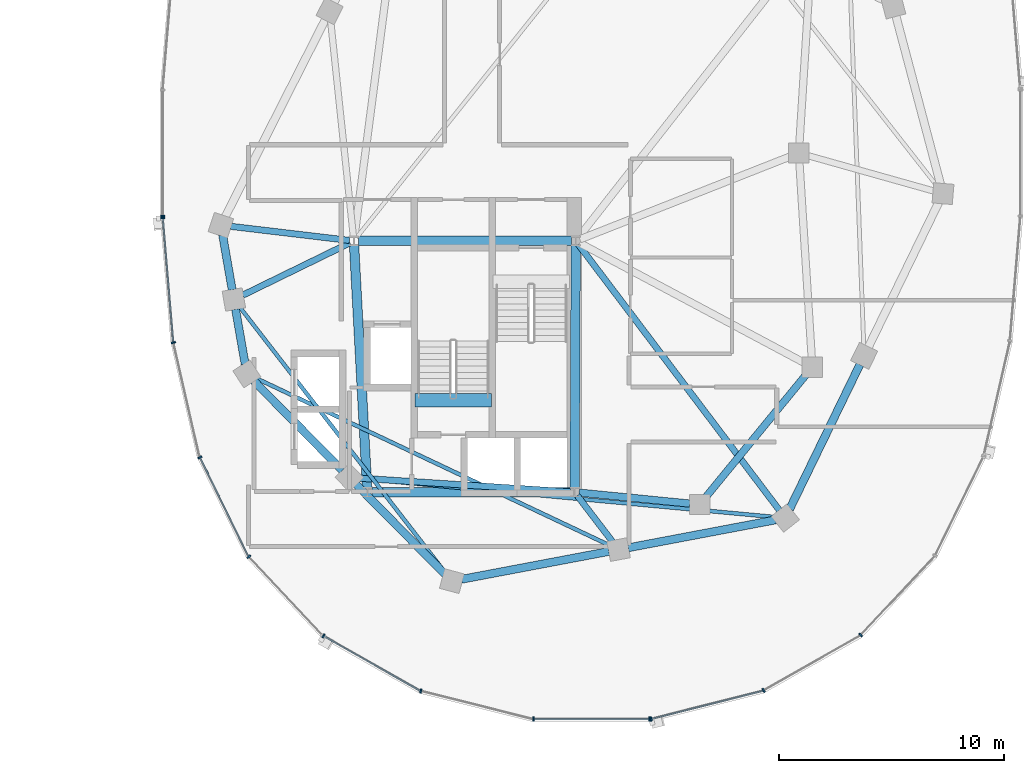
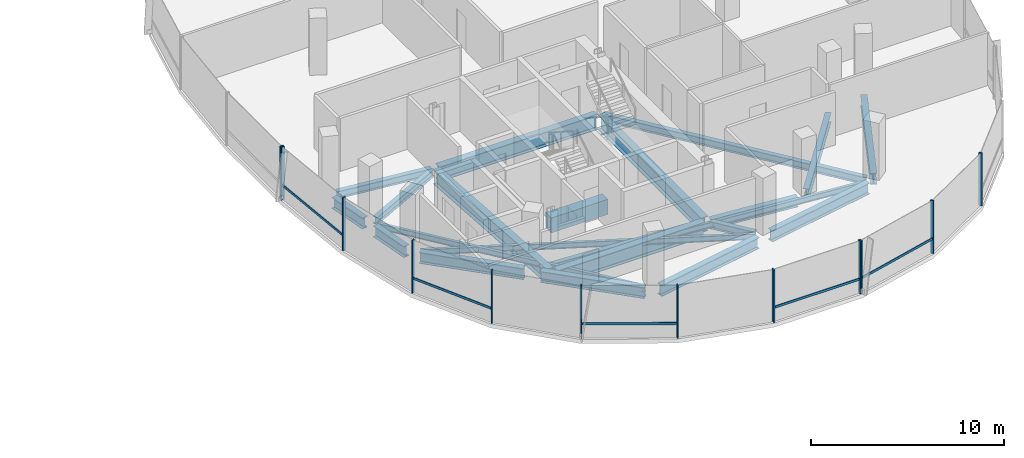
# One storey, part 8 of 25: 22 beams, 17 members, 3 elements without a shape of their own.
"""IFC4 building model written with IfcOpenShell, lengths in metres."""

from ifc_helpers import new_model, si_unit, direction, frame, origin, origin_2d, place, context, subcontext, project, spatial, rectangle, i_section, extrude, material, material_profile, profile_set, type_object, element, aggregate, save


model = new_model("IFC4")

# Units and contexts
model_context = context("Model", 3, precision=1e-05, world=origin(), true_north=direction((0.0, 1.0)))
body_context = subcontext(model_context, "Body", "Model", "MODEL_VIEW")
ifc_project = project(units=[si_unit("LENGTHUNIT", "METRE"), si_unit("AREAUNIT", "SQUARE_METRE"), si_unit("VOLUMEUNIT", "CUBIC_METRE"), si_unit("PLANEANGLEUNIT", "RADIAN"), si_unit("MASSUNIT", "GRAM", prefix="KILO"), si_unit("THERMODYNAMICTEMPERATUREUNIT", "KELVIN"), si_unit("POWERUNIT", "WATT")], contexts=[model_context])

# Site, building, storey
site_placement = place(None, origin())
site = spatial("IfcSite", under=ifc_project, at=site_placement, CompositionType="ELEMENT")
building_placement = place(site_placement, origin())
building = spatial("IfcBuilding", under=site, at=building_placement, Name="Cundina Bronze Exchange", CompositionType="ELEMENT")
storey_placement = place(building_placement, frame((0.0, 0.0, 202.60009765625)))
storey = spatial("IfcBuildingStorey", under=building, at=storey_placement, Name="L53", CompositionType="ELEMENT", Elevation=202.60009765625)

# Beams
ifc_material_1 = material(Name="Concrete C60/75", Category="concrete")
ifc_material_profile_1 = material_profile(ifc_material_1, rectangle(XDim=0.60009765625, YDim=0.949951171875, at=origin_2d()), Name="RC600X950", Category="concrete")
ifc_profile_set_1 = profile_set([ifc_material_profile_1], Name="Concrete C60/75")
beam_type_1 = type_object("IfcBeamType", Name="BM-COUP-RC950", PredefinedType="LINTEL", material=ifc_profile_set_1)
beam_1_placement = place(storey_placement, frame((24.159912109375, -10.97998046875, -0.47509765625), z_axis=(1.0, 0.0, 0.0), x_axis=(0.0, 1.0, 0.0)))
element("IfcBeam", 1, at=beam_1_placement, inside=storey, type_object=beam_type_1, Name="L53 Stair E2 Landing Header Beam", PredefinedType="LINTEL", context=body_context, shape_type="SweptSolid", body=[
    extrude(rectangle(XDim=0.60009765625, YDim=0.949951171875, at=origin_2d()), origin(), (0.0, 0.0, 1.0), 3.400146484375),
])
ifc_material_2 = material(Name="Steel ASTM A992 Grade 50", Category="steel")
ifc_material_profile_2 = material_profile(ifc_material_2, i_section(OverallWidth=0.280029296875, OverallDepth=0.462890625, WebThickness=0.0107421875, FlangeThickness=0.017333984375, FilletRadius=0.011962890625, at=origin_2d()), Name="W18X76", Category="steel")
ifc_profile_set_2 = profile_set([ifc_material_profile_2], Name="Steel ASTM A992 Grade 50")
beam_type_2 = type_object("IfcBeamType", Name="BM-FLR-W18A", PredefinedType="BEAM", material=ifc_profile_set_2)
beam_2_placement = place(storey_placement, frame((21.25537109375, -3.876953125, -0.49169921875), z_axis=(-0.993036786722, 0.117804669761, 0.0), x_axis=(-0.117804669761, -0.993036786722, 0.0)))
element("IfcBeam", 2, at=beam_2_placement, inside=storey, type_object=beam_type_2, Name="L53 Leg E Chordal Floor Beam 00", PredefinedType="BEAM", context=body_context, shape_type="SweptSolid", body=[
    extrude(i_section(OverallWidth=0.280029296875, OverallDepth=0.462890625, WebThickness=0.0107421875, FlangeThickness=0.017333984375, FilletRadius=0.011962890625, at=origin_2d()), origin(), (0.0, 0.0, 1.0), 5.307373046875),
])
beam_3_placement = place(storey_placement, frame((21.27392578125, -3.986083984375, -0.49169921875), z_axis=(-0.898613202677, -0.438741737214, 0.0), x_axis=(0.438741737214, -0.898613202677, 0.0)))
element("IfcBeam", 3, at=beam_3_placement, inside=storey, type_object=beam_type_2, Name="L53 Leg E Chordal Floor Beam 01", PredefinedType="BEAM", context=body_context, shape_type="SweptSolid", body=[
    extrude(i_section(OverallWidth=0.280029296875, OverallDepth=0.462890625, WebThickness=0.0107421875, FlangeThickness=0.017333984375, FilletRadius=0.011962890625, at=origin_2d()), origin(), (0.0, 0.0, 1.0), 5.2919921875),
])
beam_4_placement = place(storey_placement, frame((31.054443359375, -15.037353515625, -0.49169921875), z_axis=(-0.997894145252, 0.064863509559, 0.0), x_axis=(-0.064863509559, -0.997894145252, 0.0)))
element("IfcBeam", 4, at=beam_4_placement, inside=storey, type_object=beam_type_2, Name="L53 Leg E Chordal Floor Beam 03", PredefinedType="BEAM", context=body_context, shape_type="SweptSolid", body=[
    extrude(i_section(OverallWidth=0.280029296875, OverallDepth=0.462890625, WebThickness=0.0107421875, FlangeThickness=0.017333984375, FilletRadius=0.011962890625, at=origin_2d()), origin(), (0.0, 0.0, 1.0), 9.38720703125),
])
beam_5_placement = place(storey_placement, frame((31.369140625, -15.205810546875, -0.49169921875), z_axis=(0.60740437517, -0.794392802727, 0.0), x_axis=(0.794392802727, 0.60740437517, 0.0)))
element("IfcBeam", 5, at=beam_5_placement, inside=storey, type_object=beam_type_2, Name="L53 Leg E Chordal Floor Beam 05", PredefinedType="BEAM", context=body_context, shape_type="SweptSolid", body=[
    extrude(i_section(OverallWidth=0.280029296875, OverallDepth=0.462890625, WebThickness=0.0107421875, FlangeThickness=0.017333984375, FilletRadius=0.011962890625, at=origin_2d()), origin(), (0.0, 0.0, 1.0), 2.575927734375),
])
beam_6_placement = place(storey_placement, frame((31.418212890625, -4.056396484375, -0.49169921875), z_axis=(0.603104943786, -0.797661849897, 0.0), x_axis=(0.797661849897, 0.603104943786, 0.0)))
element("IfcBeam", 6, at=beam_6_placement, inside=storey, type_object=beam_type_2, Name="L53 Leg E Chordal Floor Beam 06", PredefinedType="BEAM", context=body_context, shape_type="SweptSolid", body=[
    extrude(i_section(OverallWidth=0.280029296875, OverallDepth=0.462890625, WebThickness=0.0107421875, FlangeThickness=0.017333984375, FilletRadius=0.011962890625, at=origin_2d()), origin(), (0.0, 0.0, 1.0), 14.785888671875),
])
ifc_material_profile_3 = material_profile(ifc_material_2, i_section(OverallWidth=0.172119140625, OverallDepth=0.35791015625, WebThickness=0.0078125, FlangeThickness=0.01318359375, FilletRadius=0.010009765625, at=origin_2d()), Name="W14X38", Category="steel")
ifc_profile_set_3 = profile_set([ifc_material_profile_3], Name="Steel ASTM A992 Grade 50")
beam_type_3 = type_object("IfcBeamType", Name="BM-JST-W14", PredefinedType="JOIST", material=ifc_profile_set_3)
beam_7_placement = place(storey_placement, frame((16.39306640625, -6.846435546875, -0.439208984375), z_axis=(0.612085793291, -0.790791364174, 0.0), x_axis=(0.790791364174, 0.612085793291, 0.0)))
element("IfcBeam", 7, at=beam_7_placement, inside=storey, type_object=beam_type_3, Name="L53 Leg E Lobe Floor Joist 01-04", PredefinedType="JOIST", context=body_context, shape_type="SweptSolid", body=[
    extrude(i_section(OverallWidth=0.172119140625, OverallDepth=0.35791015625, WebThickness=0.0078125, FlangeThickness=0.01318359375, FilletRadius=0.010009765625, at=origin_2d()), origin(), (0.0, 0.0, 1.0), 14.9306640625),
])
beam_8_placement = place(storey_placement, frame((17.095947265625, -9.9873046875, -0.439208984375), z_axis=(0.904073747204, -0.427376484632, 0.0), x_axis=(0.427376484632, 0.904073747204, 0.0)))
element("IfcBeam", 8, at=beam_8_placement, inside=storey, type_object=beam_type_3, Name="L53 Leg E Lobe Floor Joist 02-05", PredefinedType="JOIST", context=body_context, shape_type="SweptSolid", body=[
    extrude(i_section(OverallWidth=0.172119140625, OverallDepth=0.35791015625, WebThickness=0.0078125, FlangeThickness=0.01318359375, FilletRadius=0.010009765625, at=origin_2d()), origin(), (0.0, 0.0, 1.0), 17.374755859375),
])
beam_9_placement = place(storey_placement, frame((21.68603515625, -14.440673828125, -0.439208984375), z_axis=(0.9957017803, -0.092617302415, 0.0), x_axis=(0.092617302415, 0.9957017803, 0.0)))
element("IfcBeam", 9, at=beam_9_placement, inside=storey, type_object=beam_type_3, Name="L53 Leg E Lobe Floor Joist 03-06", PredefinedType="JOIST", context=body_context, shape_type="SweptSolid", body=[
    extrude(i_section(OverallWidth=0.172119140625, OverallDepth=0.35791015625, WebThickness=0.0078125, FlangeThickness=0.01318359375, FilletRadius=0.010009765625, at=origin_2d()), origin(), (0.0, 0.0, 1.0), 18.5576171875),
])
ifc_material_profile_4 = material_profile(ifc_material_2, i_section(OverallWidth=0.324951171875, OverallDepth=0.615966796875, WebThickness=0.013916015625, FlangeThickness=0.021484375, FilletRadius=0.01611328125, at=origin_2d()), Name="W24X117", Category="steel")
ifc_profile_set_4 = profile_set([ifc_material_profile_4], Name="Steel ASTM A992 Grade 50")
beam_type_4 = type_object("IfcBeamType", Name="BM-RING-W24", PredefinedType="USERDEFINED", material=ifc_profile_set_4)
beam_10_placement = place(storey_placement, frame((31.445068359375, -15.0693359375, -0.568115234375), z_axis=(0.995123854478, -0.09863323096, 0.0), x_axis=(0.09863323096, 0.995123854478, 0.0)))
element("IfcBeam", 10, at=beam_10_placement, inside=storey, type_object=beam_type_4, Name="L53 E Inner Structural Ring Girder 01", ObjectType="GIRDER", PredefinedType="USERDEFINED", context=body_context, shape_type="SweptSolid", body=[
    extrude(i_section(OverallWidth=0.324951171875, OverallDepth=0.615966796875, WebThickness=0.013916015625, FlangeThickness=0.021484375, FilletRadius=0.01611328125, at=origin_2d()), origin(), (0.0, 0.0, 1.0), 4.943115234375),
])
beam_11_placement = place(storey_placement, frame((37.07763671875, -15.26123046875, -0.568115234375), z_axis=(0.633912590175, 0.77340469873, 0.0), x_axis=(-0.77340469873, 0.633912590175, 0.0)))
element("IfcBeam", 11, at=beam_11_placement, inside=storey, type_object=beam_type_4, Name="L53 E Inner Structural Ring Girder 02", ObjectType="GIRDER", PredefinedType="USERDEFINED", context=body_context, shape_type="SweptSolid", body=[
    extrude(i_section(OverallWidth=0.324951171875, OverallDepth=0.615966796875, WebThickness=0.013916015625, FlangeThickness=0.021484375, FilletRadius=0.01611328125, at=origin_2d()), origin(), (0.0, 0.0, 1.0), 7.01123046875),
])
ifc_material_profile_5 = material_profile(ifc_material_2, i_section(OverallWidth=0.35498046875, OverallDepth=0.695068359375, WebThickness=0.015380859375, FlangeThickness=0.02490234375, FilletRadius=0.01806640625, at=origin_2d()), Name="W27X146", Category="steel")
ifc_profile_set_5 = profile_set([ifc_material_profile_5], Name="Steel ASTM A992 Grade 50")
beam_type_5 = type_object("IfcBeamType", Name="BM-RING-W27", PredefinedType="USERDEFINED", material=ifc_profile_set_5)
for number, where, z_axis, x_axis, name in (
    (12, (15.625244140625, -3.631591796875, -0.607666015625), (0.171628556628, -0.985161732179, 0.0), (0.985161732179, 0.171628556628, 0.0), "L53 E Perimeter Ring Girder 00"),
    (13, (16.2001953125, -6.931396484375, -0.607666015625), (0.171628556628, -0.985161732179, 0.0), (0.985161732179, 0.171628556628, 0.0), "L53 E Perimeter Ring Girder 01"),
):
    element("IfcBeam", number, at=place(storey_placement, frame(where, z_axis=z_axis, x_axis=x_axis)), inside=storey, type_object=beam_type_5, Name=name, ObjectType="GIRDER", PredefinedType="USERDEFINED", context=body_context, shape_type="SweptSolid", body=[
        extrude(i_section(OverallWidth=0.35498046875, OverallDepth=0.695068359375, WebThickness=0.015380859375, FlangeThickness=0.02490234375, FilletRadius=0.01806640625, at=origin_2d()), origin(), (0.0, 0.0, 1.0), 2.4736328125),
    ])
for number, where, z_axis, x_axis, name in (
    (14, (17.008056640625, -10.111328125, -0.607666015625), (0.703211928763, -0.710980297368, 0.0), (0.710980297368, 0.703211928763, 0.0), "L53 E Perimeter Ring Girder 02"),
    (15, (21.55810546875, -14.71142578125, -0.607666015625), (0.703211928763, -0.710980297368, 0.0), (0.710980297368, 0.703211928763, 0.0), "L53 E Perimeter Ring Girder 03"),
):
    element("IfcBeam", number, at=place(storey_placement, frame(where, z_axis=z_axis, x_axis=x_axis)), inside=storey, type_object=beam_type_5, Name=name, ObjectType="GIRDER", PredefinedType="USERDEFINED", context=body_context, shape_type="SweptSolid", body=[
        extrude(i_section(OverallWidth=0.35498046875, OverallDepth=0.695068359375, WebThickness=0.015380859375, FlangeThickness=0.02490234375, FilletRadius=0.01806640625, at=origin_2d()), origin(), (0.0, 0.0, 1.0), 5.593994140625),
    ])
beam_12_placement = place(storey_placement, frame((26.23046875, -18.918701171875, -0.607666015625), z_axis=(0.982565174657, 0.185918470175, 0.0), x_axis=(-0.185918470175, 0.982565174657, 0.0)))
element("IfcBeam", 16, at=beam_12_placement, inside=storey, type_object=beam_type_5, Name="L53 E Perimeter Ring Girder 04", ObjectType="GIRDER", PredefinedType="USERDEFINED", context=body_context, shape_type="SweptSolid", body=[
    extrude(i_section(OverallWidth=0.35498046875, OverallDepth=0.695068359375, WebThickness=0.015380859375, FlangeThickness=0.02490234375, FilletRadius=0.01806640625, at=origin_2d()), origin(), (0.0, 0.0, 1.0), 6.655029296875),
])
beam_13_placement = place(storey_placement, frame((33.63037109375, -17.5185546875, -0.607666015625), z_axis=(0.982573143022, 0.185876353022, 0.0), x_axis=(-0.185876353022, 0.982573143022, 0.0)))
element("IfcBeam", 17, at=beam_13_placement, inside=storey, type_object=beam_type_5, Name="L53 E Perimeter Ring Girder 05", ObjectType="GIRDER", PredefinedType="USERDEFINED", context=body_context, shape_type="SweptSolid", body=[
    extrude(i_section(OverallWidth=0.35498046875, OverallDepth=0.695068359375, WebThickness=0.015380859375, FlangeThickness=0.02490234375, FilletRadius=0.01806640625, at=origin_2d()), origin(), (0.0, 0.0, 1.0), 6.6552734375),
])
beam_14_placement = place(storey_placement, frame((40.79150390625, -15.80615234375, -0.607666015625), z_axis=(0.437173087764, 0.89937739094, 0.0), x_axis=(-0.89937739094, 0.437173087764, 0.0)))
element("IfcBeam", 18, at=beam_14_placement, inside=storey, type_object=beam_type_5, Name="L53 E Perimeter Ring Girder 06", ObjectType="GIRDER", PredefinedType="USERDEFINED", context=body_context, shape_type="SweptSolid", body=[
    extrude(i_section(OverallWidth=0.35498046875, OverallDepth=0.695068359375, WebThickness=0.015380859375, FlangeThickness=0.02490234375, FilletRadius=0.01806640625, at=origin_2d()), origin(), (0.0, 0.0, 1.0), 7.1298828125),
])
ifc_material_profile_6 = material_profile(ifc_material_2, i_section(OverallWidth=0.41796875, OverallDepth=0.927001953125, WebThickness=0.019287109375, FlangeThickness=0.031982421875, FilletRadius=0.02392578125, at=origin_2d()), Name="W36X231", Category="steel")
ifc_profile_set_6 = profile_set([ifc_material_profile_6], Name="Steel ASTM A992 Grade 50")
beam_type_6 = type_object("IfcBeamType", Name="BM-WRN-W36B", PredefinedType="USERDEFINED", material=ifc_profile_set_6)
beam_15_placement = place(storey_placement, frame((31.10400390625, -3.89990234375, -0.7236328125), z_axis=(-1.0, 0.0, 0.0), x_axis=(0.0, -1.0, 0.0)))
element("IfcBeam", 19, at=beam_15_placement, inside=storey, type_object=beam_type_6, Name="L53 E Core Perimeter Tie Girder 1", ObjectType="GIRDER", PredefinedType="USERDEFINED", context=body_context, shape_type="SweptSolid", body=[
    extrude(i_section(OverallWidth=0.41796875, OverallDepth=0.927001953125, WebThickness=0.019287109375, FlangeThickness=0.031982421875, FilletRadius=0.02392578125, at=origin_2d()), origin(), (0.0, 0.0, 1.0), 9.4580078125),
])
beam_16_placement = place(storey_placement, frame((21.46044921875, -4.095703125, -0.7236328125), z_axis=(0.053749317644, -0.998554460634, 0.0), x_axis=(0.998554460634, 0.053749317644, 0.0)))
element("IfcBeam", 20, at=beam_16_placement, inside=storey, type_object=beam_type_6, Name="L53 E Core Perimeter Tie Girder 2", ObjectType="GIRDER", PredefinedType="USERDEFINED", context=body_context, shape_type="SweptSolid", body=[
    extrude(i_section(OverallWidth=0.41796875, OverallDepth=0.927001953125, WebThickness=0.019287109375, FlangeThickness=0.031982421875, FilletRadius=0.02392578125, at=origin_2d()), origin(), (0.0, 0.0, 1.0), 10.774169921875),
])
beam_17_placement = place(storey_placement, frame((22.24609375, -15.050048828125, -0.7236328125), z_axis=(1.0, 0.0, 0.0), x_axis=(0.0, 1.0, 0.0)))
element("IfcBeam", 21, at=beam_17_placement, inside=storey, type_object=beam_type_6, Name="L53 E Core Perimeter Tie Girder 3", ObjectType="GIRDER", PredefinedType="USERDEFINED", context=body_context, shape_type="SweptSolid", body=[
    extrude(i_section(OverallWidth=0.41796875, OverallDepth=0.927001953125, WebThickness=0.019287109375, FlangeThickness=0.031982421875, FilletRadius=0.02392578125, at=origin_2d()), origin(), (0.0, 0.0, 1.0), 8.807861328125),
])
beam_18_placement = place(storey_placement, frame((31.2509765625, -14.85400390625, -0.7236328125), z_axis=(0.004470623654, 0.999990006712, 0.0), x_axis=(-0.999990006712, 0.004470623654, 0.0)))
element("IfcBeam", 22, at=beam_18_placement, inside=storey, type_object=beam_type_6, Name="L53 E Core Perimeter Tie Girder 4", ObjectType="GIRDER", PredefinedType="USERDEFINED", context=body_context, shape_type="SweptSolid", body=[
    extrude(i_section(OverallWidth=0.41796875, OverallDepth=0.927001953125, WebThickness=0.019287109375, FlangeThickness=0.031982421875, FilletRadius=0.02392578125, at=origin_2d()), origin(), (0.0, 0.0, 1.0), 10.758056640625),
])

# Curtain wall, member
ifc_material_3 = material(Name="Anodised Bronze Aluminium 6063-T6", Category="aluminium")
curtain_wall_type = type_object("IfcCurtainWallType", Name="CWS-UPP-OFF", PredefinedType="NOTDEFINED", material=ifc_material_3)
curtain_wall_1_placement = place(storey_placement, origin())
curtain_wall_1 = element("IfcCurtainWall", 23, at=curtain_wall_1_placement, inside=storey, type_object=curtain_wall_type, Name="L53 CW-05 Curtain Wall Run CWR-L53-E2", PredefinedType="NOTDEFINED")
ifc_material_profile_7 = material_profile(ifc_material_3, rectangle(XDim=0.070068359375, YDim=0.18994140625, at=origin_2d()), Name="AL70X190", Category="aluminium")
ifc_profile_set_7 = profile_set([ifc_material_profile_7], Name="Anodised Bronze Aluminium 6063-T6")
member_type_1 = type_object("IfcMemberType", Name="CWM-MUL-190", PredefinedType="MULLION", material=ifc_profile_set_7)
member_1_placement = place(storey_placement, frame((12.966064453125, -2.794921875, 0.0), z_axis=(0.0, 0.0, 1.0), x_axis=(0.0, -1.0, 0.0)))
member_1 = element("IfcMember", 24, at=member_1_placement, type_object=member_type_1, Name="CW-05 End Mullion", PredefinedType="MULLION", context=body_context, shape_type="SweptSolid", body=[
    extrude(rectangle(XDim=0.070068359375, YDim=0.18994140625, at=origin_2d()), origin(), (0.0, 0.0, 1.0), 3.33984375),
])
aggregate(curtain_wall_1, [member_1])

# Curtain wall, members
curtain_wall_2_placement = place(storey_placement, origin())
curtain_wall_2 = element("IfcCurtainWall", 25, at=curtain_wall_2_placement, inside=storey, type_object=curtain_wall_type, Name="L53 CW-05 Curtain Wall Run CWR-L53-E3", PredefinedType="NOTDEFINED")
member_2_placement = place(storey_placement, frame((12.9697265625, -2.88330078125, 0.0), z_axis=(0.0, 0.0, 1.0), x_axis=(0.083677843332, -0.99649285925, 0.0)))
member_2 = element("IfcMember", 26, at=member_2_placement, type_object=member_type_1, Name="CW-05 Mullion 1", PredefinedType="MULLION", context=body_context, shape_type="SweptSolid", body=[
    extrude(rectangle(XDim=0.070068359375, YDim=0.18994140625, at=origin_2d()), origin(), (0.0, 0.0, 1.0), 3.33984375),
])
member_3_placement = place(storey_placement, frame((13.43994140625, -8.4111328125, 0.0), z_axis=(0.0, 0.0, 1.0), x_axis=(0.223250116011, -0.974761194191, 0.0)))
member_3 = element("IfcMember", 27, at=member_3_placement, type_object=member_type_1, Name="CW-05 Mullion 2", PredefinedType="MULLION", context=body_context, shape_type="SweptSolid", body=[
    extrude(rectangle(XDim=0.070068359375, YDim=0.18994140625, at=origin_2d()), origin(), (0.0, 0.0, 1.0), 3.33984375),
])
member_4_placement = place(storey_placement, frame((14.61572265625, -13.50732421875, 0.0), z_axis=(0.0, 0.0, 1.0), x_axis=(0.440566004113, -0.897720221461, 0.0)))
member_4 = element("IfcMember", 28, at=member_4_placement, type_object=member_type_1, Name="CW-05 Mullion 3", PredefinedType="MULLION", context=body_context, shape_type="SweptSolid", body=[
    extrude(rectangle(XDim=0.070068359375, YDim=0.18994140625, at=origin_2d()), origin(), (0.0, 0.0, 1.0), 3.33984375),
])
member_5_placement = place(storey_placement, frame((16.790283203125, -17.91796875, 0.0), z_axis=(0.0, 0.0, 1.0), x_axis=(0.684292606175, -0.729207535023, 0.0)))
member_5 = element("IfcMember", 29, at=member_5_placement, type_object=member_type_1, Name="CW-05 Mullion 4", PredefinedType="MULLION", context=body_context, shape_type="SweptSolid", body=[
    extrude(rectangle(XDim=0.070068359375, YDim=0.18994140625, at=origin_2d()), origin(), (0.0, 0.0, 1.0), 3.33984375),
])
member_6_placement = place(storey_placement, frame((20.100341796875, -21.43115234375, 0.0), z_axis=(0.0, 0.0, 1.0), x_axis=(0.86958112538, -0.493790103568, 0.0)))
member_6 = element("IfcMember", 30, at=member_6_placement, type_object=member_type_1, Name="CW-05 Mullion 5", PredefinedType="MULLION", context=body_context, shape_type="SweptSolid", body=[
    extrude(rectangle(XDim=0.070068359375, YDim=0.18994140625, at=origin_2d()), origin(), (0.0, 0.0, 1.0), 3.33984375),
])
member_7_placement = place(storey_placement, frame((24.422607421875, -23.87548828125, 0.0), z_axis=(0.0, 0.0, 1.0), x_axis=(0.969744325821, -0.244122802168, 0.0)))
member_7 = element("IfcMember", 31, at=member_7_placement, type_object=member_type_1, Name="CW-05 Mullion 6", PredefinedType="MULLION", context=body_context, shape_type="SweptSolid", body=[
    extrude(rectangle(XDim=0.070068359375, YDim=0.18994140625, at=origin_2d()), origin(), (0.0, 0.0, 1.0), 3.33984375),
])
member_8_placement = place(storey_placement, frame((29.419921875, -25.125, 0.0), z_axis=(0.0, 0.0, 1.0), x_axis=(1.0, 0.0, 0.0)))
member_8 = element("IfcMember", 32, at=member_8_placement, type_object=member_type_1, Name="CW-05 Mullion 7", PredefinedType="MULLION", context=body_context, shape_type="SweptSolid", body=[
    extrude(rectangle(XDim=0.070068359375, YDim=0.18994140625, at=origin_2d()), origin(), (0.0, 0.0, 1.0), 3.33984375),
])
member_9_placement = place(storey_placement, frame((34.580078125, -25.125, 0.0), z_axis=(0.0, 0.0, 1.0), x_axis=(1.0, 0.0, 0.0)))
member_9 = element("IfcMember", 33, at=member_9_placement, type_object=member_type_1, Name="CW-05 End Mullion", PredefinedType="MULLION", context=body_context, shape_type="SweptSolid", body=[
    extrude(rectangle(XDim=0.070068359375, YDim=0.18994140625, at=origin_2d()), origin(), (0.0, 0.0, 1.0), 3.33984375),
])

curtain_wall_3_placement = place(storey_placement, origin())
curtain_wall_3 = element("IfcCurtainWall", 34, at=curtain_wall_3_placement, inside=storey, type_object=curtain_wall_type, Name="L53 CW-05 Curtain Wall Run CWR-L53-E4", PredefinedType="NOTDEFINED")
member_10_placement = place(storey_placement, frame((34.6484375, -25.116455078125, 0.0), z_axis=(0.0, 0.0, 1.0), x_axis=(0.969744325821, 0.244122802168, 0.0)))
member_10 = element("IfcMember", 35, at=member_10_placement, type_object=member_type_1, Name="CW-05 Mullion 1", PredefinedType="MULLION", context=body_context, shape_type="SweptSolid", body=[
    extrude(rectangle(XDim=0.070068359375, YDim=0.18994140625, at=origin_2d()), origin(), (0.0, 0.0, 1.0), 3.33984375),
])
member_11_placement = place(storey_placement, frame((39.638916015625, -23.850830078125, 0.0), z_axis=(0.0, 0.0, 1.0), x_axis=(0.86958112538, 0.493790103568, 0.0)))
member_11 = element("IfcMember", 36, at=member_11_placement, type_object=member_type_1, Name="CW-05 Mullion 2", PredefinedType="MULLION", context=body_context, shape_type="SweptSolid", body=[
    extrude(rectangle(XDim=0.070068359375, YDim=0.18994140625, at=origin_2d()), origin(), (0.0, 0.0, 1.0), 3.33984375),
])
member_12_placement = place(storey_placement, frame((43.94873046875, -21.392578125, 0.0), z_axis=(0.0, 0.0, 1.0), x_axis=(0.684292606175, 0.729207535023, 0.0)))
member_12 = element("IfcMember", 37, at=member_12_placement, type_object=member_type_1, Name="CW-05 Mullion 3", PredefinedType="MULLION", context=body_context, shape_type="SweptSolid", body=[
    extrude(rectangle(XDim=0.070068359375, YDim=0.18994140625, at=origin_2d()), origin(), (0.0, 0.0, 1.0), 3.33984375),
])

# Member
ifc_material_profile_8 = material_profile(ifc_material_3, rectangle(XDim=0.06494140625, YDim=0.14990234375, at=origin_2d()), Name="AL65X150", Category="aluminium")
ifc_profile_set_8 = profile_set([ifc_material_profile_8], Name="Anodised Bronze Aluminium 6063-T6")
member_type_2 = type_object("IfcMemberType", Name="CWM-TRN-150", PredefinedType="USERDEFINED", material=ifc_profile_set_8)
member_13_placement = place(storey_placement, frame((12.972900390625, -2.921630859375, 0.919921875), z_axis=(0.083740331158, -0.996487610027, 0.0), x_axis=(0.996487610027, 0.083740331158, 0.0)))
member_13 = element("IfcMember", 38, at=member_13_placement, type_object=member_type_2, Name="CW-05 Spandrel Transom 1", ObjectType="TRANSOM", PredefinedType="USERDEFINED", context=body_context, shape_type="SweptSolid", body=[
    extrude(rectangle(XDim=0.06494140625, YDim=0.14990234375, at=origin_2d()), origin(), (0.0, 0.0, 1.0), 5.466552734375),
])

member_14_placement = place(storey_placement, frame((14.6328125, -13.5419921875, 0.919921875), z_axis=(0.440483110889, -0.897760897467, 0.0), x_axis=(0.897760897467, 0.440483110889, 0.0)))
member_14 = element("IfcMember", 39, at=member_14_placement, type_object=member_type_2, Name="CW-05 Spandrel Transom 3", ObjectType="TRANSOM", PredefinedType="USERDEFINED", context=body_context, shape_type="SweptSolid", body=[
    extrude(rectangle(XDim=0.06494140625, YDim=0.14990234375, at=origin_2d()), origin(), (0.0, 0.0, 1.0), 4.855224609375),
])

member_15_placement = place(storey_placement, frame((20.1337890625, -21.4501953125, 0.919921875), z_axis=(0.869573748083, -0.493803095013, 0.0), x_axis=(0.493803095013, 0.869573748083, 0.0)))
member_15 = element("IfcMember", 40, at=member_15_placement, type_object=member_type_2, Name="CW-05 Spandrel Transom 5", ObjectType="TRANSOM", PredefinedType="USERDEFINED", context=body_context, shape_type="SweptSolid", body=[
    extrude(rectangle(XDim=0.06494140625, YDim=0.14990234375, at=origin_2d()), origin(), (0.0, 0.0, 1.0), 4.900146484375),
])

member_16_placement = place(storey_placement, frame((29.45849609375, -25.125, 0.919921875), z_axis=(1.0, 0.0, 0.0), x_axis=(0.0, 1.0, 0.0)))
member_16 = element("IfcMember", 41, at=member_16_placement, type_object=member_type_2, Name="CW-05 Spandrel Transom 7", ObjectType="TRANSOM", PredefinedType="USERDEFINED", context=body_context, shape_type="SweptSolid", body=[
    extrude(rectangle(XDim=0.06494140625, YDim=0.14990234375, at=origin_2d()), origin(), (0.0, 0.0, 1.0), 5.0830078125),
])

aggregate(curtain_wall_2, [member_2, member_13, member_3, member_4, member_14, member_5, member_6, member_15, member_7, member_8, member_9, member_16])

member_17_placement = place(storey_placement, frame((34.685791015625, -25.107177734375, 0.919921875), z_axis=(0.969725738797, 0.244196624699, 0.0), x_axis=(-0.244196624699, 0.969725738797, 0.0)))
member_17 = element("IfcMember", 42, at=member_17_placement, type_object=member_type_2, Name="CW-05 Spandrel Transom 1", ObjectType="TRANSOM", PredefinedType="USERDEFINED", context=body_context, shape_type="SweptSolid", body=[
    extrude(rectangle(XDim=0.06494140625, YDim=0.14990234375, at=origin_2d()), origin(), (0.0, 0.0, 1.0), 5.082763671875),
])

aggregate(curtain_wall_3, [member_10, member_17, member_11, member_12])

save(model, "model.ifc")
